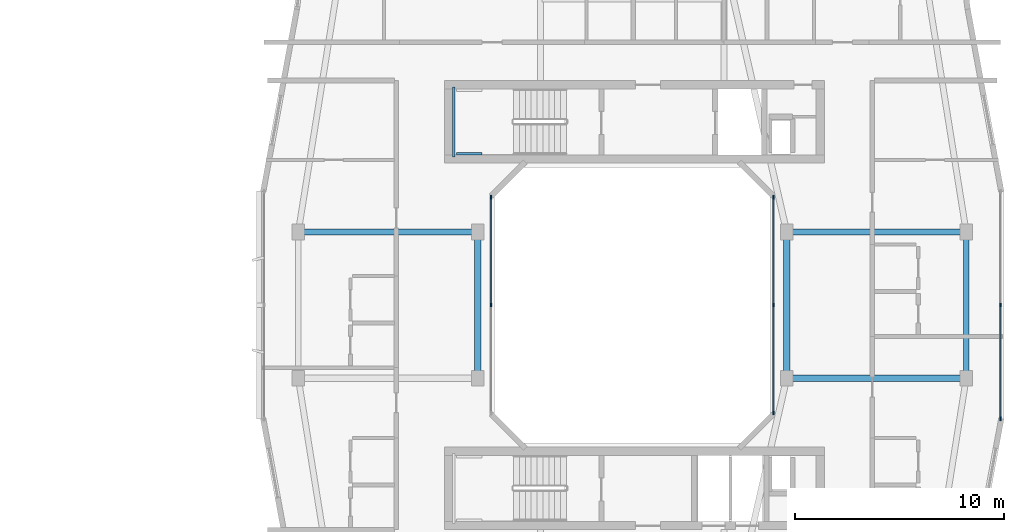
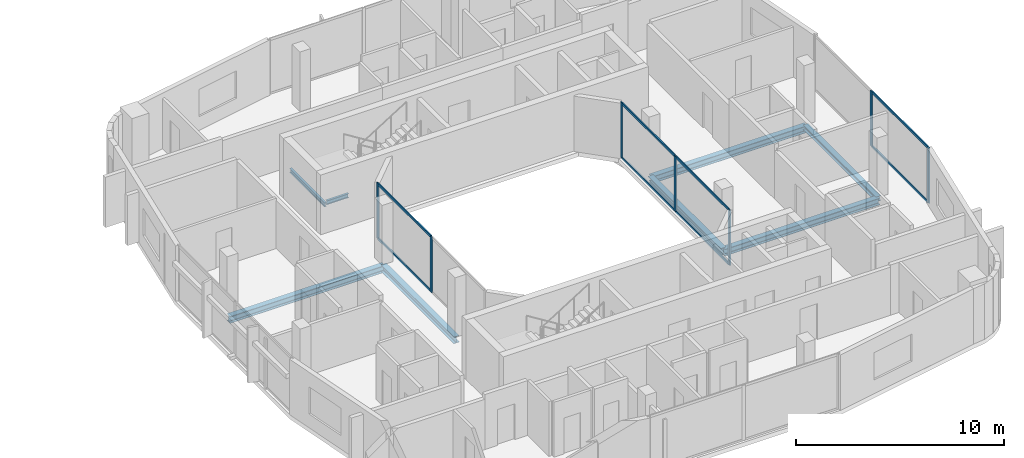
# One storey, part 8 of 26: 15 members, 8 beams, 3 elements without a shape of their own.
"""IFC4 building model written with IfcOpenShell, lengths in metres."""

from ifc_helpers import new_model, si_unit, derived_unit, direction, frame, origin, origin_2d, place, context, subcontext, project, spatial, rectangle, i_section, extrude, material, layer, layer_set, material_profile, profile_set, type_object, element, aggregate, save


model = new_model("IFC4")

# Units and contexts
model_context = context("Model", 3, precision=1e-05, world=origin(), true_north=direction((0.0, 1.0)))
body_context = subcontext(model_context, "Body", "Model", "MODEL_VIEW")
ifc_project = project(units=[si_unit("LENGTHUNIT", "METRE"), si_unit("AREAUNIT", "SQUARE_METRE"), si_unit("VOLUMEUNIT", "CUBIC_METRE"), si_unit("PLANEANGLEUNIT", "RADIAN"), si_unit("MASSUNIT", "GRAM", prefix="KILO"), derived_unit("THERMALTRANSMITTANCEUNIT", [(si_unit("POWERUNIT", "WATT"), 1), (si_unit("LENGTHUNIT", "METRE"), -2), (si_unit("THERMODYNAMICTEMPERATUREUNIT", "KELVIN"), -1)])], contexts=[model_context])

# Site, building, storey
site_placement = place(None, origin())
site = spatial("IfcSite", under=ifc_project, at=site_placement, CompositionType="ELEMENT")
building_placement = place(site_placement, origin())
building = spatial("IfcBuilding", under=site, at=building_placement, Name="Kivonza Crest Hotel", CompositionType="ELEMENT")
storey_placement = place(building_placement, frame((0.0, 0.0, 95.0)))
storey = spatial("IfcBuildingStorey", under=building, at=storey_placement, Name="L25", CompositionType="ELEMENT", Elevation=95.0)

# Beams
ifc_material_1 = material(Name="Steel S355", Category="steel")
ifc_material_profile_1 = material_profile(ifc_material_1, i_section(OverallWidth=0.280029296875, OverallDepth=0.280029296875, WebThickness=0.010498046875, FlangeThickness=0.01806640625, FilletRadius=0.02392578125, at=origin_2d()), Name="HEB 280")
ifc_profile_set_1 = profile_set([ifc_material_profile_1], Name="Steel S355")
beam_type_1 = type_object("IfcBeamType", Name="BM-HEB280", PredefinedType="SPANDREL", material=ifc_profile_set_1)
beam_1_placement = place(storey_placement, frame((93.0, 21.5, -0.389892578125), z_axis=(0.0, 1.0, 0.0), x_axis=(-1.0, 0.0, 0.0)))
element("IfcBeam", 1, at=beam_1_placement, inside=storey, type_object=beam_type_1, Name="Companion Tower T2 L25 perimeter spandrel E1-E2", PredefinedType="SPANDREL", context=body_context, shape_type="SweptSolid", body=[
    extrude(i_section(OverallWidth=0.280029296875, OverallDepth=0.280029296875, WebThickness=0.010498046875, FlangeThickness=0.01806640625, FilletRadius=0.02392578125, at=origin_2d()), origin(), (0.0, 0.0, 1.0), 7.0),
])
ifc_material_profile_2 = material_profile(ifc_material_1, i_section(OverallWidth=0.300048828125, OverallDepth=0.39990234375, WebThickness=0.013427734375, FlangeThickness=0.02392578125, FilletRadius=0.027099609375, at=origin_2d()), Name="HEB 400")
ifc_profile_set_2 = profile_set([ifc_material_profile_2], Name="Steel S355")
beam_type_2 = type_object("IfcBeamType", Name="BM-HEB400", PredefinedType="BEAM", material=ifc_profile_set_2)
beam_2_placement = place(storey_placement, frame((61.0, 28.5, -0.449951171875), z_axis=(1.0, 0.0, 0.0), x_axis=(0.0, 1.0, 0.0)))
element("IfcBeam", 2, at=beam_2_placement, inside=storey, type_object=beam_type_2, Name="Companion Tower T2 L25 girder W2-WL2", PredefinedType="BEAM", context=body_context, shape_type="SweptSolid", body=[
    extrude(i_section(OverallWidth=0.300048828125, OverallDepth=0.39990234375, WebThickness=0.013427734375, FlangeThickness=0.02392578125, FilletRadius=0.027099609375, at=origin_2d()), origin(), (0.0, 0.0, 1.0), 8.60009765625),
])
beam_3_placement = place(storey_placement, frame((69.60009765625, 21.5, -0.449951171875), z_axis=(0.0, 1.0, 0.0), x_axis=(-1.0, 0.0, 0.0)))
element("IfcBeam", 3, at=beam_3_placement, inside=storey, type_object=beam_type_2, Name="Companion Tower T2 L25 girder WL1-WL2", PredefinedType="BEAM", context=body_context, shape_type="SweptSolid", body=[
    extrude(i_section(OverallWidth=0.300048828125, OverallDepth=0.39990234375, WebThickness=0.013427734375, FlangeThickness=0.02392578125, FilletRadius=0.027099609375, at=origin_2d()), origin(), (0.0, 0.0, 1.0), 7.0),
])
for number, where, z_axis, x_axis, name in (
    (4, (84.39990234375, 21.5, -0.449951171875), (1.0, 0.0, 0.0), (0.0, 1.0, 0.0), "Companion Tower T2 L25 girder WR1-E1"),
    (5, (84.39990234375, 28.5, -0.449951171875), (1.0, 0.0, 0.0), (0.0, 1.0, 0.0), "Companion Tower T2 L25 girder WR2-E2"),
):
    element("IfcBeam", number, at=place(storey_placement, frame(where, z_axis=z_axis, x_axis=x_axis)), inside=storey, type_object=beam_type_2, Name=name, PredefinedType="BEAM", context=body_context, shape_type="SweptSolid", body=[
        extrude(i_section(OverallWidth=0.300048828125, OverallDepth=0.39990234375, WebThickness=0.013427734375, FlangeThickness=0.02392578125, FilletRadius=0.027099609375, at=origin_2d()), origin(), (0.0, 0.0, 1.0), 8.60009765625),
    ])
beam_4_placement = place(storey_placement, frame((84.39990234375, 21.5, -0.449951171875), z_axis=(0.0, 1.0, 0.0), x_axis=(-1.0, 0.0, 0.0)))
element("IfcBeam", 6, at=beam_4_placement, inside=storey, type_object=beam_type_2, Name="Companion Tower T2 L25 girder WR1-WR2", PredefinedType="BEAM", context=body_context, shape_type="SweptSolid", body=[
    extrude(i_section(OverallWidth=0.300048828125, OverallDepth=0.39990234375, WebThickness=0.013427734375, FlangeThickness=0.02392578125, FilletRadius=0.027099609375, at=origin_2d()), origin(), (0.0, 0.0, 1.0), 7.0),
])
ifc_material_profile_3 = material_profile(ifc_material_1, i_section(OverallWidth=0.1201171875, OverallDepth=0.239990234375, WebThickness=0.006103515625, FlangeThickness=0.009765625, FilletRadius=0.014892578125, at=origin_2d()), Name="IPE 240")
ifc_profile_set_3 = profile_set([ifc_material_profile_3], Name="Steel S355")
beam_type_3 = type_object("IfcBeamType", Name="BM-LLDG-240", PredefinedType="BEAM", material=ifc_profile_set_3)
beam_5_placement = place(storey_placement, frame((68.4599609375, 32.10009765625, 1.429931640625), z_axis=(0.0, 1.0, 0.0), x_axis=(-1.0, 0.0, 0.0)))
element("IfcBeam", 7, at=beam_5_placement, inside=storey, type_object=beam_type_3, Name="Stair ST-T2-N L25 West landing corbel", PredefinedType="BEAM", context=body_context, shape_type="SweptSolid", body=[
    extrude(i_section(OverallWidth=0.1201171875, OverallDepth=0.239990234375, WebThickness=0.006103515625, FlangeThickness=0.009765625, FilletRadius=0.014892578125, at=origin_2d()), origin(), (0.0, 0.0, 1.0), 3.35986328125),
])
beam_6_placement = place(storey_placement, frame((68.590087890625, 32.260009765625, 1.429931640625), z_axis=(1.0, 0.0, 0.0), x_axis=(0.0, 1.0, 0.0)))
element("IfcBeam", 8, at=beam_6_placement, inside=storey, type_object=beam_type_3, Name="Stair ST-T2-N L25 South landing corbel", PredefinedType="BEAM", context=body_context, shape_type="SweptSolid", body=[
    extrude(i_section(OverallWidth=0.1201171875, OverallDepth=0.239990234375, WebThickness=0.006103515625, FlangeThickness=0.009765625, FilletRadius=0.014892578125, at=origin_2d()), origin(), (0.0, 0.0, 1.0), 1.2099609375),
])

# Curtain wall, members
ifc_material_2 = material(Name="Anodised bronze aluminium and low-E double glazing", Category="aluminium")
ifc_layer_1 = layer(ifc_material_2, 0.179931640625)
ifc_layer_set_1 = layer_set([ifc_layer_1], Name="Anodised bronze aluminium and low-E double glazing")
curtain_wall_type_1 = type_object("IfcCurtainWallType", Name="CW-SYS-4", PredefinedType="NOTDEFINED", material=ifc_layer_set_1)
curtain_wall_1_placement = place(storey_placement, origin())
curtain_wall_1 = element("IfcCurtainWall", 9, at=curtain_wall_1_placement, inside=storey, type_object=curtain_wall_type_1, Name="L25 unitised curtain wall CW-T2-L25-17", PredefinedType="NOTDEFINED")
ifc_material_3 = material(Name="Anodised bronze aluminium", Category="aluminium")
ifc_material_profile_4 = material_profile(ifc_material_3, rectangle(XDim=0.06494140625, YDim=0.179931640625, at=origin_2d()), Name="CW-M 65x180")
ifc_profile_set_4 = profile_set([ifc_material_profile_4], Name="Anodised bronze aluminium")
member_type_1 = type_object("IfcMemberType", Name="CW-MUL-65x180", PredefinedType="MULLION", material=ifc_profile_set_4)
member_1_placement = place(storey_placement, frame((94.639892578125, 19.552490234375, 0.0), z_axis=(0.0, 0.0, 1.0), x_axis=(-1.0, 0.0, 0.0)))
member_1 = element("IfcMember", 10, at=member_1_placement, type_object=member_type_1, Name="CW-4 mullion 1", PredefinedType="MULLION", context=body_context, shape_type="SweptSolid", body=[
    extrude(rectangle(XDim=0.06494140625, YDim=0.179931640625, at=origin_2d()), origin(), (0.0, 0.0, 1.0), 3.25),
])
member_2_placement = place(storey_placement, frame((94.639892578125, 25.0, 0.0), z_axis=(0.0, 0.0, 1.0), x_axis=(-1.0, 0.0, 0.0)))
member_2 = element("IfcMember", 11, at=member_2_placement, type_object=member_type_1, Name="CW-4 mullion 2", PredefinedType="MULLION", context=body_context, shape_type="SweptSolid", body=[
    extrude(rectangle(XDim=0.06494140625, YDim=0.179931640625, at=origin_2d()), origin(), (0.0, 0.0, 1.0), 3.25),
])

ifc_layer_2 = layer(ifc_material_2, 0.159912109375)
ifc_layer_set_2 = layer_set([ifc_layer_2], Name="Anodised bronze aluminium and low-E double glazing")
curtain_wall_type_2 = type_object("IfcCurtainWallType", Name="CW-SYS-5", PredefinedType="NOTDEFINED", material=ifc_layer_set_2)
curtain_wall_2_placement = place(storey_placement, origin())
curtain_wall_2 = element("IfcCurtainWall", 12, at=curtain_wall_2_placement, inside=storey, type_object=curtain_wall_type_2, Name="L25 unitised curtain wall CW-WELL-T2-L25-3", PredefinedType="NOTDEFINED")
member_3_placement = place(storey_placement, frame((83.760009765625, 19.83251953125, 0.0), z_axis=(0.0, 0.0, 1.0), x_axis=(-1.0, 0.0, 0.0)))
member_3 = element("IfcMember", 13, at=member_3_placement, type_object=member_type_1, Name="CW-5 mullion 1", PredefinedType="MULLION", context=body_context, shape_type="SweptSolid", body=[
    extrude(rectangle(XDim=0.06494140625, YDim=0.179931640625, at=origin_2d()), origin(), (0.0, 0.0, 1.0), 3.25),
])
member_4_placement = place(storey_placement, frame((83.760009765625, 25.0, 0.0), z_axis=(0.0, 0.0, 1.0), x_axis=(-1.0, 0.0, 0.0)))
member_4 = element("IfcMember", 14, at=member_4_placement, type_object=member_type_1, Name="CW-5 mullion 2", PredefinedType="MULLION", context=body_context, shape_type="SweptSolid", body=[
    extrude(rectangle(XDim=0.06494140625, YDim=0.179931640625, at=origin_2d()), origin(), (0.0, 0.0, 1.0), 3.25),
])
member_5_placement = place(storey_placement, frame((83.760009765625, 30.16748046875, 0.0), z_axis=(0.0, 0.0, 1.0), x_axis=(-1.0, 0.0, 0.0)))
member_5 = element("IfcMember", 15, at=member_5_placement, type_object=member_type_1, Name="CW-5 mullion 3", PredefinedType="MULLION", context=body_context, shape_type="SweptSolid", body=[
    extrude(rectangle(XDim=0.06494140625, YDim=0.179931640625, at=origin_2d()), origin(), (0.0, 0.0, 1.0), 3.25),
])

curtain_wall_3_placement = place(storey_placement, origin())
curtain_wall_3 = element("IfcCurtainWall", 16, at=curtain_wall_3_placement, inside=storey, type_object=curtain_wall_type_2, Name="L25 unitised curtain wall CW-WELL-T2-L25-7", PredefinedType="NOTDEFINED")
member_6_placement = place(storey_placement, frame((70.239990234375, 30.16748046875, 0.0), z_axis=(0.0, 0.0, 1.0), x_axis=(1.0, 0.0, 0.0)))
member_6 = element("IfcMember", 17, at=member_6_placement, type_object=member_type_1, Name="CW-5 mullion 1", PredefinedType="MULLION", context=body_context, shape_type="SweptSolid", body=[
    extrude(rectangle(XDim=0.06494140625, YDim=0.179931640625, at=origin_2d()), origin(), (0.0, 0.0, 1.0), 3.25),
])
member_7_placement = place(storey_placement, frame((70.239990234375, 25.0, 0.0), z_axis=(0.0, 0.0, 1.0), x_axis=(1.0, 0.0, 0.0)))
member_7 = element("IfcMember", 18, at=member_7_placement, type_object=member_type_1, Name="CW-5 mullion 2", PredefinedType="MULLION", context=body_context, shape_type="SweptSolid", body=[
    extrude(rectangle(XDim=0.06494140625, YDim=0.179931640625, at=origin_2d()), origin(), (0.0, 0.0, 1.0), 3.25),
])

# Member
ifc_material_profile_5 = material_profile(ifc_material_3, rectangle(XDim=0.06494140625, YDim=0.139892578125, at=origin_2d()), Name="CW-T 65x140")
ifc_profile_set_5 = profile_set([ifc_material_profile_5], Name="Anodised bronze aluminium")
member_type_2 = type_object("IfcMemberType", Name="CW-TRN-65x140", PredefinedType="USERDEFINED", material=ifc_profile_set_5)
member_8_placement = place(storey_placement, frame((94.639892578125, 19.5849609375, 0.032470703125), z_axis=(0.0, 1.0, 0.0), x_axis=(-1.0, 0.0, 0.0)))
member_8 = element("IfcMember", 19, at=member_8_placement, type_object=member_type_2, Name="CW-4 transom 1.1", ObjectType="TRANSOM", PredefinedType="USERDEFINED", context=body_context, shape_type="SweptSolid", body=[
    extrude(rectangle(XDim=0.06494140625, YDim=0.139892578125, at=origin_2d()), origin(), (0.0, 0.0, 1.0), 5.382568359375),
])

member_9_placement = place(storey_placement, frame((94.639892578125, 19.5849609375, 3.217529296875), z_axis=(0.0, 1.0, 0.0), x_axis=(-1.0, 0.0, 0.0)))
member_9 = element("IfcMember", 20, at=member_9_placement, type_object=member_type_2, Name="CW-4 transom 1.2", ObjectType="TRANSOM", PredefinedType="USERDEFINED", context=body_context, shape_type="SweptSolid", body=[
    extrude(rectangle(XDim=0.06494140625, YDim=0.139892578125, at=origin_2d()), origin(), (0.0, 0.0, 1.0), 5.382568359375),
])

aggregate(curtain_wall_1, [member_1, member_2, member_8, member_9])

member_10_placement = place(storey_placement, frame((83.760009765625, 19.864990234375, 0.032470703125), z_axis=(0.0, 1.0, 0.0), x_axis=(-1.0, 0.0, 0.0)))
member_10 = element("IfcMember", 21, at=member_10_placement, type_object=member_type_2, Name="CW-5 transom 1.1", ObjectType="TRANSOM", PredefinedType="USERDEFINED", context=body_context, shape_type="SweptSolid", body=[
    extrude(rectangle(XDim=0.06494140625, YDim=0.139892578125, at=origin_2d()), origin(), (0.0, 0.0, 1.0), 5.1025390625),
])

member_11_placement = place(storey_placement, frame((83.760009765625, 19.864990234375, 3.217529296875), z_axis=(0.0, 1.0, 0.0), x_axis=(-1.0, 0.0, 0.0)))
member_11 = element("IfcMember", 22, at=member_11_placement, type_object=member_type_2, Name="CW-5 transom 1.2", ObjectType="TRANSOM", PredefinedType="USERDEFINED", context=body_context, shape_type="SweptSolid", body=[
    extrude(rectangle(XDim=0.06494140625, YDim=0.139892578125, at=origin_2d()), origin(), (0.0, 0.0, 1.0), 5.1025390625),
])

member_12_placement = place(storey_placement, frame((83.760009765625, 25.032470703125, 0.032470703125), z_axis=(0.0, 1.0, 0.0), x_axis=(-1.0, 0.0, 0.0)))
member_12 = element("IfcMember", 23, at=member_12_placement, type_object=member_type_2, Name="CW-5 transom 2.1", ObjectType="TRANSOM", PredefinedType="USERDEFINED", context=body_context, shape_type="SweptSolid", body=[
    extrude(rectangle(XDim=0.06494140625, YDim=0.139892578125, at=origin_2d()), origin(), (0.0, 0.0, 1.0), 5.1025390625),
])

member_13_placement = place(storey_placement, frame((83.760009765625, 25.032470703125, 3.217529296875), z_axis=(0.0, 1.0, 0.0), x_axis=(-1.0, 0.0, 0.0)))
member_13 = element("IfcMember", 24, at=member_13_placement, type_object=member_type_2, Name="CW-5 transom 2.2", ObjectType="TRANSOM", PredefinedType="USERDEFINED", context=body_context, shape_type="SweptSolid", body=[
    extrude(rectangle(XDim=0.06494140625, YDim=0.139892578125, at=origin_2d()), origin(), (0.0, 0.0, 1.0), 5.1025390625),
])

aggregate(curtain_wall_2, [member_3, member_4, member_5, member_10, member_11, member_12, member_13])

member_14_placement = place(storey_placement, frame((70.239990234375, 30.135009765625, 0.032470703125), z_axis=(0.0, -1.0, 0.0), x_axis=(1.0, 0.0, 0.0)))
member_14 = element("IfcMember", 25, at=member_14_placement, type_object=member_type_2, Name="CW-5 transom 1.1", ObjectType="TRANSOM", PredefinedType="USERDEFINED", context=body_context, shape_type="SweptSolid", body=[
    extrude(rectangle(XDim=0.06494140625, YDim=0.139892578125, at=origin_2d()), origin(), (0.0, 0.0, 1.0), 5.1025390625),
])

member_15_placement = place(storey_placement, frame((70.239990234375, 30.135009765625, 3.217529296875), z_axis=(0.0, -1.0, 0.0), x_axis=(1.0, 0.0, 0.0)))
member_15 = element("IfcMember", 26, at=member_15_placement, type_object=member_type_2, Name="CW-5 transom 1.2", ObjectType="TRANSOM", PredefinedType="USERDEFINED", context=body_context, shape_type="SweptSolid", body=[
    extrude(rectangle(XDim=0.06494140625, YDim=0.139892578125, at=origin_2d()), origin(), (0.0, 0.0, 1.0), 5.1025390625),
])

aggregate(curtain_wall_3, [member_6, member_7, member_14, member_15])

save(model, "model.ifc")
